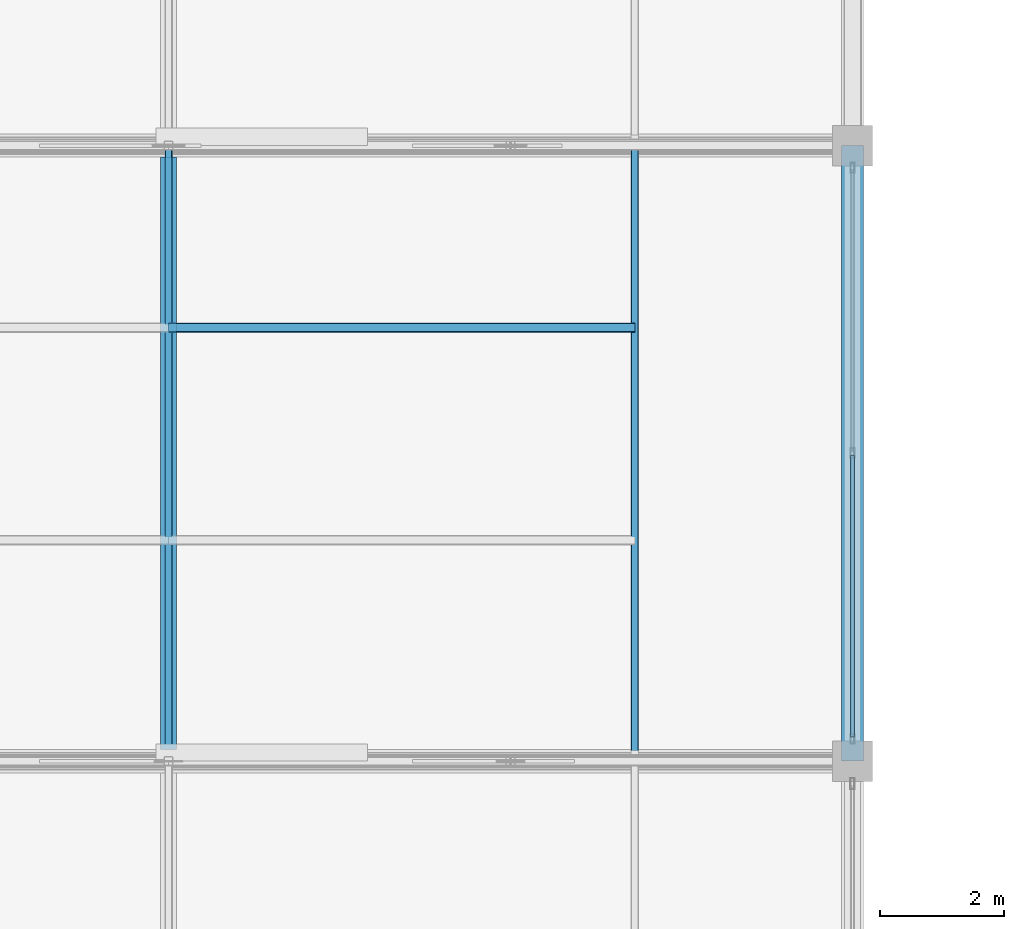
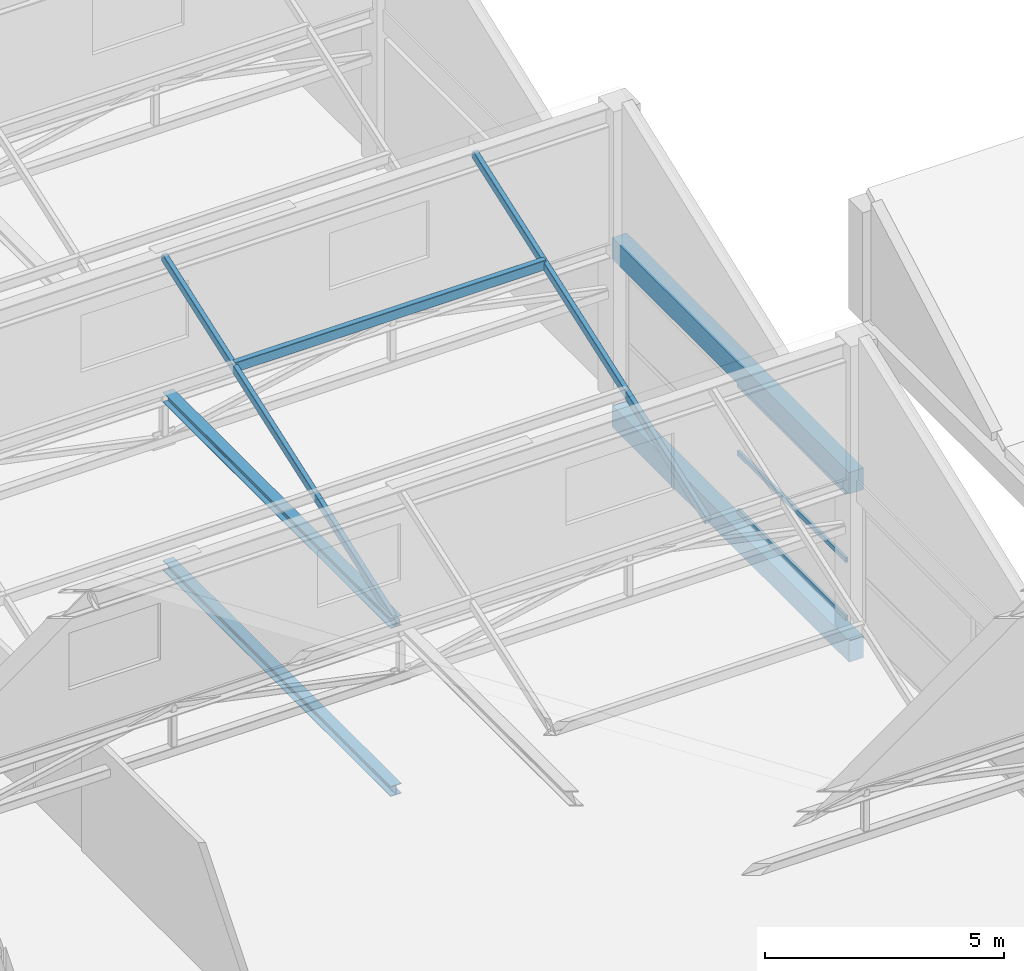
# One storey, part 15 of 35: 6 members, 4 beams, 1 element without a shape of its own.
"""IFC4 building model written with IfcOpenShell, lengths in metres."""

from ifc_helpers import new_model, si_unit, direction, frame, origin, origin_2d, place, context, subcontext, project, spatial, rectangle, hollow_rectangle, i_section, extrude, material, layer, layer_set, material_profile, profile_set, type_object, element, aggregate, save


model = new_model("IFC4")

# Units and contexts
model_context = context("Model", 3, precision=1e-05, world=origin(), true_north=direction((0.0, 1.0)))
body_context = subcontext(model_context, "Body", "Model", "MODEL_VIEW")
ifc_project = project(units=[si_unit("LENGTHUNIT", "METRE"), si_unit("AREAUNIT", "SQUARE_METRE"), si_unit("VOLUMEUNIT", "CUBIC_METRE"), si_unit("PLANEANGLEUNIT", "RADIAN"), si_unit("MASSUNIT", "GRAM", prefix="KILO")], contexts=[model_context])

# Site, building, storey
site_placement = place(None, origin())
site = spatial("IfcSite", under=ifc_project, at=site_placement, CompositionType="ELEMENT")
building_placement = place(site_placement, origin())
building = spatial("IfcBuilding", under=site, at=building_placement, Name="Sillaruma Civic Art Gallery", CompositionType="ELEMENT")
storey_placement = place(building_placement, frame((0.0, 0.0, 74.4599609375)))
storey = spatial("IfcBuildingStorey", under=building, at=storey_placement, Name="L15", CompositionType="ELEMENT", Elevation=74.4599609375)

# Beams
ifc_material_1 = material(Name="Structural Steel ASTM A992 Gr.50", Category="steel")
ifc_material_profile_1 = material_profile(ifc_material_1, i_section(OverallWidth=0.256103515625, OverallDepth=0.260009765625, WebThickness=0.0107421875, FlangeThickness=0.017333984375, FilletRadius=0.012939453125, at=origin_2d()), Name="W250x89")
ifc_profile_set_1 = profile_set([ifc_material_profile_1], Name="Structural Steel ASTM A992 Gr.50")
beam_type_1 = type_object("IfcBeamType", Name="BM-JOIST-W250x89", PredefinedType="JOIST", material=ifc_profile_set_1)
beam_1_placement = place(storey_placement, frame((81.0, 59.58544921875, -0.3798828125), z_axis=(0.0, 1.0, 0.0), x_axis=(-1.0, 0.0, 0.0)))
element("IfcBeam", 1, at=beam_1_placement, inside=storey, type_object=beam_type_1, Name="Long-Span Gallery Joist JS-04 (L14:7-8)", PredefinedType="JOIST", context=body_context, shape_type="SweptSolid", body=[
    extrude(i_section(OverallWidth=0.256103515625, OverallDepth=0.260009765625, WebThickness=0.0107421875, FlangeThickness=0.017333984375, FilletRadius=0.012939453125, at=origin_2d()), origin(), (0.0, 0.0, 1.0), 9.529052734375),
])
ifc_material_profile_2 = material_profile(ifc_material_1, i_section(OverallWidth=0.256103515625, OverallDepth=0.260009765625, WebThickness=0.0107421875, FlangeThickness=0.017333984375, FilletRadius=0.012939453125, at=origin_2d()), Name="W250x89")
ifc_profile_set_2 = profile_set([ifc_material_profile_2], Name="Structural Steel ASTM A992 Gr.50")
beam_type_2 = type_object("IfcBeamType", Name="BM-RJOIST-W250x89", PredefinedType="JOIST", material=ifc_profile_set_2)
beam_2_placement = place(storey_placement, frame((81.0, 59.58544921875, 3.91015625), z_axis=(0.0, 1.0, 0.0), x_axis=(-1.0, 0.0, 0.0)))
element("IfcBeam", 2, at=beam_2_placement, inside=storey, type_object=beam_type_2, Name="Long-Span Gallery Joist JSR-04 (L15:7-8)", PredefinedType="JOIST", context=body_context, shape_type="SweptSolid", body=[
    extrude(i_section(OverallWidth=0.256103515625, OverallDepth=0.260009765625, WebThickness=0.0107421875, FlangeThickness=0.017333984375, FilletRadius=0.012939453125, at=origin_2d()), origin(), (0.0, 0.0, 1.0), 9.529052734375),
])
ifc_material_2 = material(Name="Concrete H35 (35 MPa)", Category="concrete")
ifc_material_profile_3 = material_profile(ifc_material_2, rectangle(XDim=0.35009765625, YDim=0.550048828125, at=origin_2d()), Name="RCB350x550")
ifc_profile_set_3 = profile_set([ifc_material_profile_3], Name="Concrete H35 (35 MPa)")
beam_type_3 = type_object("IfcBeamType", Name="BM-ROF-RCB350x550", PredefinedType="SPANDREL", material=ifc_profile_set_3)
beam_3_placement = place(storey_placement, frame((92.0, 59.39990234375, 3.76513671875), z_axis=(0.0, 1.0, 0.0), x_axis=(-1.0, 0.0, 0.0)))
element("IfcBeam", 3, at=beam_3_placement, inside=storey, type_object=beam_type_3, Name="Beam BSR-04 (L15:K:7-8)", PredefinedType="SPANDREL", context=body_context, shape_type="SweptSolid", body=[
    extrude(rectangle(XDim=0.35009765625, YDim=0.550048828125, at=origin_2d()), origin(), (0.0, 0.0, 1.0), 9.900146484375),
])
ifc_material_profile_4 = material_profile(ifc_material_2, rectangle(XDim=0.35009765625, YDim=0.550048828125, at=origin_2d()), Name="RCB350x550")
ifc_profile_set_4 = profile_set([ifc_material_profile_4], Name="Concrete H35 (35 MPa)")
beam_type_4 = type_object("IfcBeamType", Name="BM-SPANDREL-RCB350x550", PredefinedType="SPANDREL", material=ifc_profile_set_4)
beam_4_placement = place(storey_placement, frame((92.0, 59.39990234375, -0.52490234375), z_axis=(0.0, 1.0, 0.0), x_axis=(-1.0, 0.0, 0.0)))
element("IfcBeam", 4, at=beam_4_placement, inside=storey, type_object=beam_type_4, Name="Beam BS-04 (L14:K:7-8)", PredefinedType="SPANDREL", context=body_context, shape_type="SweptSolid", body=[
    extrude(rectangle(XDim=0.35009765625, YDim=0.550048828125, at=origin_2d()), origin(), (0.0, 0.0, 1.0), 9.900146484375),
])

# Members
ifc_material_3 = material(Name="Structural Steel ASTM A500 Gr.C", Category="steel")
ifc_material_profile_5 = material_profile(ifc_material_3, hollow_rectangle(XDim=0.14990234375, YDim=0.25, WallThickness=0.010009765625, InnerFilletRadius=0.010009765625, OuterFilletRadius=0.02001953125, at=origin_2d()), Name="HSS250x150x10")
ifc_profile_set_5 = profile_set([ifc_material_profile_5], Name="Structural Steel ASTM A500 Gr.C")
member_type_1 = type_object("IfcMemberType", Name="MEM-PUR-HSS250", PredefinedType="PURLIN", material=ifc_profile_set_5)
member_1_placement = place(storey_placement, frame((81.0, 66.3720703125, 6.322021484375), z_axis=(1.0, 0.0, 0.0), x_axis=(0.0, 1.0, 0.0)))
element("IfcMember", 5, at=member_1_placement, inside=storey, type_object=member_type_1, Name="Sawtooth Roof Steel Purlin (3.2.3)", PredefinedType="PURLIN", context=body_context, shape_type="SweptSolid", body=[
    extrude(hollow_rectangle(XDim=0.14990234375, YDim=0.25, WallThickness=0.010009765625, InnerFilletRadius=0.010009765625, OuterFilletRadius=0.02001953125, at=origin_2d()), origin(), (0.0, 0.0, 1.0), 7.5),
])
ifc_material_profile_6 = material_profile(ifc_material_3, hollow_rectangle(XDim=0.1201171875, YDim=0.199951171875, WallThickness=0.008056640625, InnerFilletRadius=0.008056640625, OuterFilletRadius=0.01611328125, at=origin_2d()), Name="HSS200x120x8")
ifc_profile_set_6 = profile_set([ifc_material_profile_6], Name="Structural Steel ASTM A500 Gr.C")
member_type_2 = type_object("IfcMemberType", Name="MEM-RAF-HSS200", PredefinedType="PURLIN", material=ifc_profile_set_6)
for number, where, z_axis, x_axis, name in (
    (6, (81.0, 59.5400390625, 3.900146484375), (0.0, 0.942527174953, 0.33412950255), (-1.0, 0.0, 0.0), "Sawtooth Sloped Steel Rafter (3-C)"),
    (7, (88.5, 59.5400390625, 3.900146484375), (0.0, 0.942527174953, 0.33412950255), (-1.0, 0.0, 0.0), "Sawtooth Sloped Steel Rafter (3-E)"),
):
    element("IfcMember", number, at=place(storey_placement, frame(where, z_axis=z_axis, x_axis=x_axis)), inside=storey, type_object=member_type_2, Name=name, PredefinedType="PURLIN", context=body_context, shape_type="SweptSolid", body=[
        extrude(hollow_rectangle(XDim=0.1201171875, YDim=0.199951171875, WallThickness=0.008056640625, InnerFilletRadius=0.008056640625, OuterFilletRadius=0.01611328125, at=origin_2d()), origin(), (0.0, 0.0, 1.0), 10.355224609375),
    ])

# Curtain wall, members
ifc_material_4 = material(Name="Thermally Broken Extruded Aluminium 6063-T6", Category="aluminium")
ifc_layer = layer(ifc_material_4, 0.159912109375, Name="Thermally Broken Extruded Aluminium 6063-T6")
ifc_layer_set = layer_set([ifc_layer], Name="Thermally Broken Extruded Aluminium 6063-T6")
curtain_wall_type = type_object("IfcCurtainWallType", Name="CW-UNI-114", PredefinedType="NOTDEFINED", material=ifc_layer_set)
curtain_wall_placement = place(storey_placement, origin())
curtain_wall = element("IfcCurtainWall", 8, at=curtain_wall_placement, inside=storey, type_object=curtain_wall_type, Name="Unitised Curtain Wall CW-114 (CW-L15-WBE-5)", PredefinedType="NOTDEFINED")
ifc_material_profile_7 = material_profile(ifc_material_4, hollow_rectangle(XDim=0.06494140625, YDim=0.1201171875, WallThickness=0.00341796875, at=origin_2d()), Name="CWT65x120")
ifc_profile_set_7 = profile_set([ifc_material_profile_7], Name="Thermally Broken Extruded Aluminium 6063-T6")
member_type_3 = type_object("IfcMemberType", Name="MEM-TRN-CWT65x120", PredefinedType="USERDEFINED", material=ifc_profile_set_7)
member_2_placement = place(storey_placement, frame((92.0, 59.7900390625, 0.032470703125), z_axis=(0.0, 1.0, 0.0), x_axis=(-1.0, 0.0, 0.0)))
member_2 = element("IfcMember", 9, at=member_2_placement, type_object=member_type_3, Name="CW-114 transom 1.1", ObjectType="TRANSOM", PredefinedType="USERDEFINED", context=body_context, shape_type="SweptSolid", body=[
    extrude(hollow_rectangle(XDim=0.06494140625, YDim=0.1201171875, WallThickness=0.00341796875, at=origin_2d()), origin(), (0.0, 0.0, 1.0), 4.52734375),
])
member_3_placement = place(storey_placement, frame((92.0, 59.7900390625, 1.513427734375), z_axis=(0.0, 1.0, 0.0), x_axis=(-1.0, 0.0, 0.0)))
member_3 = element("IfcMember", 10, at=member_3_placement, type_object=member_type_3, Name="CW-114 transom 1.2", ObjectType="TRANSOM", PredefinedType="USERDEFINED", context=body_context, shape_type="SweptSolid", body=[
    extrude(hollow_rectangle(XDim=0.06494140625, YDim=0.1201171875, WallThickness=0.00341796875, at=origin_2d()), origin(), (0.0, 0.0, 1.0), 4.52734375),
])
member_4_placement = place(storey_placement, frame((92.0, 59.7900390625, 3.257568359375), z_axis=(0.0, 1.0, 0.0), x_axis=(-1.0, 0.0, 0.0)))
member_4 = element("IfcMember", 11, at=member_4_placement, type_object=member_type_3, Name="CW-114 transom 1.3", ObjectType="TRANSOM", PredefinedType="USERDEFINED", context=body_context, shape_type="SweptSolid", body=[
    extrude(hollow_rectangle(XDim=0.06494140625, YDim=0.1201171875, WallThickness=0.00341796875, at=origin_2d()), origin(), (0.0, 0.0, 1.0), 4.52734375),
])
aggregate(curtain_wall, [member_2, member_3, member_4])

save(model, "model.ifc")
